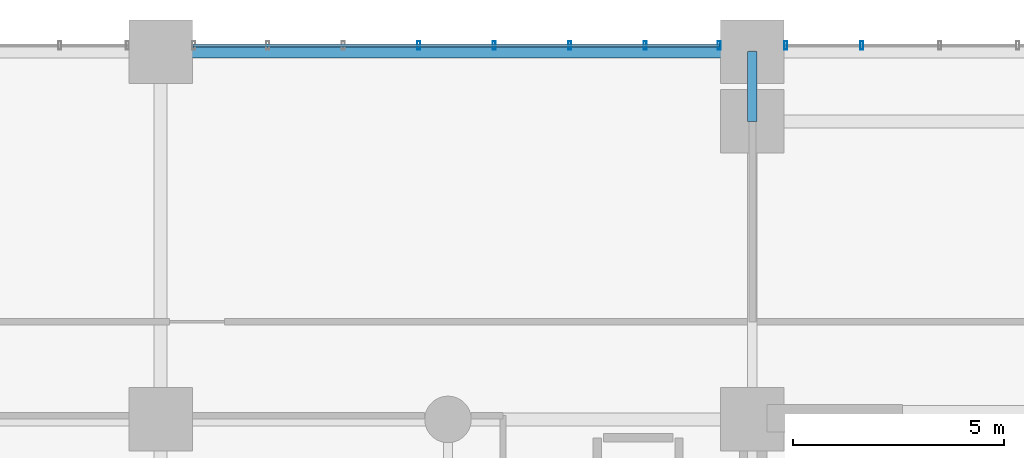
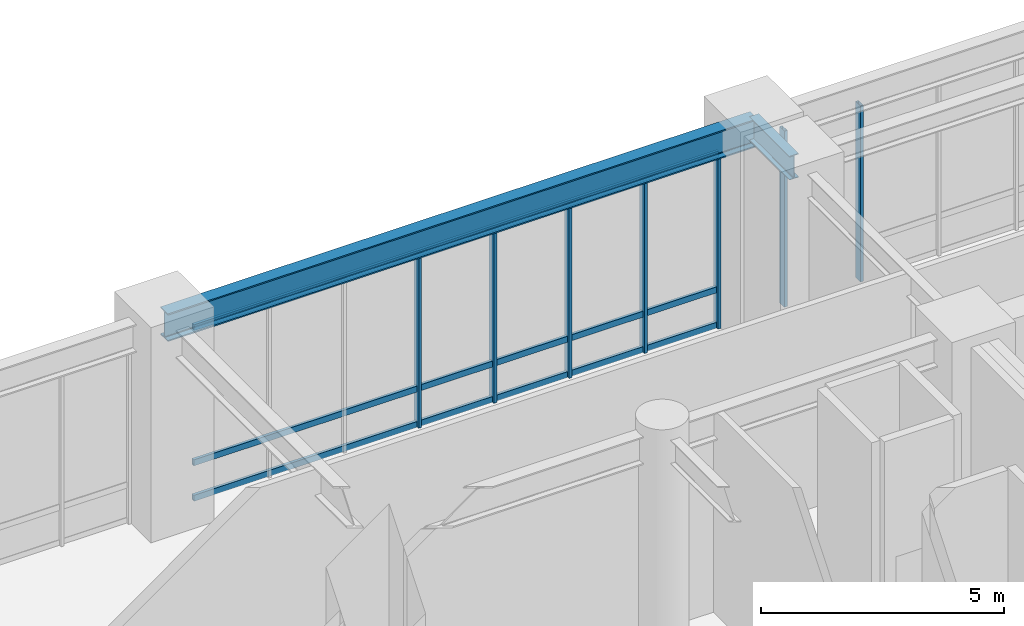
# One storey, part 3 of 22: 10 members, 2 beams, 2 elements without a shape of their own.
"""IFC4 building model written with IfcOpenShell, lengths in metres."""

from ifc_helpers import new_model, si_unit, direction, frame, origin, origin_2d, place, context, subcontext, project, spatial, hollow_rectangle, i_section, extrude, source, transform, mapped, material, layer, layer_set, material_profile, profile_set, type_object, element, aggregate, save


model = new_model("IFC4")

# Units and contexts
model_context = context("Model", 3, precision=1e-05, world=origin(), true_north=direction((0.0, 1.0)))
body_context = subcontext(model_context, "Body", "Model", "MODEL_VIEW")
ifc_project = project(units=[si_unit("LENGTHUNIT", "METRE"), si_unit("AREAUNIT", "SQUARE_METRE"), si_unit("VOLUMEUNIT", "CUBIC_METRE"), si_unit("PLANEANGLEUNIT", "RADIAN"), si_unit("MASSUNIT", "GRAM", prefix="KILO")], contexts=[model_context])

# Site, building, storey
site_placement = place(None, origin())
site = spatial("IfcSite", under=ifc_project, at=site_placement, CompositionType="ELEMENT")
building_placement = place(site_placement, origin())
building = spatial("IfcBuilding", under=site, at=building_placement, Name="Kaliganga Portal Commons", CompositionType="ELEMENT")
storey_placement = place(building_placement, origin())
storey = spatial("IfcBuildingStorey", under=building, at=storey_placement, Name="L00", CompositionType="ELEMENT", Elevation=0.0)

# Beams
ifc_material_1 = material(Name="Structural steel S355J2", Category="steel")
ifc_material_profile_1 = material_profile(ifc_material_1, i_section(OverallWidth=0.300048828125, OverallDepth=0.699951171875, WebThickness=0.01708984375, FlangeThickness=0.031982421875, FilletRadius=0.027099609375, at=origin_2d()), Name="HE 700 B")
ifc_profile_set_1 = profile_set([ifc_material_profile_1], Name="Structural steel S355J2 wide-flange")
beam_type_1 = type_object("IfcBeamType", Name="BM-GIRD-700", PredefinedType="USERDEFINED", material=ifc_profile_set_1)
shared_shape_1 = source(origin(), body_context, "Body", "SweptSolid", [
    extrude(i_section(OverallWidth=0.300048828125, OverallDepth=0.699951171875, WebThickness=0.01708984375, FlangeThickness=0.031982421875, FilletRadius=0.027099609375, at=origin_2d()), origin(), (0.0, 0.0, 1.0), 14.0),
])
beam_1_placement = place(storey_placement, frame((0.39990234375, 44.85009765625, 4.77001953125), z_axis=(1.0, 0.0, 0.0), x_axis=(0.0, 1.0, 0.0)))
element("IfcBeam", 1, at=beam_1_placement, inside=storey, type_object=beam_type_1, Name="BM PODP L00 N44 1", ObjectType="GIRDER", PredefinedType="USERDEFINED", context=body_context, shape_type="MappedRepresentation", body=[
    mapped(shared_shape_1, transform((0.0, 0.0, 0.0), x_axis=(1.0, 0.0, 0.0), y_axis=(0.0, 1.0, 0.0), z_axis=(0.0, 0.0, 1.0), scale=1.0)),
])
ifc_material_profile_2 = material_profile(ifc_material_1, i_section(OverallWidth=0.219970703125, OverallDepth=0.60009765625, WebThickness=0.011962890625, FlangeThickness=0.01904296875, FilletRadius=0.02392578125, at=origin_2d()), Name="IPE 600")
ifc_profile_set_2 = profile_set([ifc_material_profile_2], Name="Structural steel S355J2 wide-flange")
beam_type_2 = type_object("IfcBeamType", Name="BM-FLR-600", PredefinedType="BEAM", material=ifc_profile_set_2)
shared_shape_2 = source(origin(), body_context, "Body", "SweptSolid", [
    extrude(i_section(OverallWidth=0.219970703125, OverallDepth=0.60009765625, WebThickness=0.011962890625, FlangeThickness=0.01904296875, FilletRadius=0.02392578125, at=origin_2d()), origin(), (0.0, 0.0, 1.0), 1.650146484375),
])
beam_2_placement = place(storey_placement, frame((14.39990234375, 43.199951171875, 4.820068359375), z_axis=(0.0, 1.0, 0.0), x_axis=(-1.0, 0.0, 0.0)))
element("IfcBeam", 2, at=beam_2_placement, inside=storey, type_object=beam_type_2, Name="BM PODP L00 NT14", PredefinedType="BEAM", context=body_context, shape_type="MappedRepresentation", body=[
    mapped(shared_shape_2, transform((0.0, 0.0, 0.0), x_axis=(1.0, 0.0, 0.0), y_axis=(0.0, 1.0, 0.0), z_axis=(0.0, 0.0, 1.0), scale=1.0)),
])

# Curtain wall, members
ifc_material_2 = material(Name="Anodized Aluminium and Laminated Low-E Glass", Category="aluminium")
ifc_layer = layer(ifc_material_2, 0.219970703125)
ifc_layer_set = layer_set([ifc_layer], Name="Anodized Aluminium and Laminated Low-E Glass")
curtain_wall_type = type_object("IfcCurtainWallType", Name="CW-SYS-01", PredefinedType="NOTDEFINED", material=ifc_layer_set)
curtain_wall_1_placement = place(storey_placement, origin())
curtain_wall_1 = element("IfcCurtainWall", 3, at=curtain_wall_1_placement, inside=storey, type_object=curtain_wall_type, Name="CW 01 L00 P1E02S6", PredefinedType="NOTDEFINED")
ifc_material_3 = material(Name="Dark Bronze Anodized Aluminium", Category="aluminium")
ifc_material_profile_3 = material_profile(ifc_material_3, hollow_rectangle(XDim=0.070068359375, YDim=0.199951171875, WallThickness=0.00390625, at=origin_2d()), Name="ALU MULL 70x200x4")
ifc_profile_set_3 = profile_set([ifc_material_profile_3], Name="Dark Bronze Anodized Aluminium")
member_type_1 = type_object("IfcMemberType", Name="CW-MUL-220", PredefinedType="MULLION", material=ifc_profile_set_3)
shared_shape_3 = source(origin(), body_context, "Body", "SweptSolid", [
    extrude(hollow_rectangle(XDim=0.070068359375, YDim=0.199951171875, WallThickness=0.00390625, at=origin_2d()), origin(), (0.0, 0.0, 1.0), 4.419921875),
])
member_1_placement = place(storey_placement, frame((16.99365234375, 45.0, 0.0), z_axis=(0.0, 0.0, 1.0), x_axis=(-1.0, 0.0, 0.0)))
member_1 = element("IfcMember", 4, at=member_1_placement, type_object=member_type_1, Name="CW:01:L00:P1E02S6 Mullion 06", PredefinedType="MULLION", context=body_context, shape_type="MappedRepresentation", body=[
    mapped(shared_shape_3, transform((0.0, 0.0, 0.0), x_axis=(1.0, 0.0, 0.0), y_axis=(0.0, 1.0, 0.0), z_axis=(0.0, 0.0, 1.0), scale=1.0)),
])
member_2_placement = place(storey_placement, frame((15.18603515625, 45.0, 0.0), z_axis=(0.0, 0.0, 1.0), x_axis=(-1.0, 0.0, 0.0)))
member_2 = element("IfcMember", 5, at=member_2_placement, type_object=member_type_1, Name="CW:01:L00:P1E02S6 Mullion 07", PredefinedType="MULLION", context=body_context, shape_type="MappedRepresentation", body=[
    mapped(shared_shape_3, transform((0.0, 0.0, 0.0), x_axis=(1.0, 0.0, 0.0), y_axis=(0.0, 1.0, 0.0), z_axis=(0.0, 0.0, 1.0), scale=1.0)),
])
aggregate(curtain_wall_1, [member_1, member_2])

curtain_wall_2_placement = place(storey_placement, origin())
curtain_wall_2 = element("IfcCurtainWall", 6, at=curtain_wall_2_placement, inside=storey, type_object=curtain_wall_type, Name="CW 01 L00 P1E02S7", PredefinedType="NOTDEFINED")
member_3_placement = place(storey_placement, frame((13.614013671875, 45.0, 0.0), z_axis=(0.0, 0.0, 1.0), x_axis=(-1.0, 0.0, 0.0)))
member_3 = element("IfcMember", 7, at=member_3_placement, type_object=member_type_1, Name="CW:01:L00:P1E02S7 Mullion 00", PredefinedType="MULLION", context=body_context, shape_type="MappedRepresentation", body=[
    mapped(shared_shape_3, transform((0.0, 0.0, 0.0), x_axis=(1.0, 0.0, 0.0), y_axis=(0.0, 1.0, 0.0), z_axis=(0.0, 0.0, 1.0), scale=1.0)),
])
member_4_placement = place(storey_placement, frame((11.863525390625, 45.0, 0.0), z_axis=(0.0, 0.0, 1.0), x_axis=(-1.0, 0.0, 0.0)))
member_4 = element("IfcMember", 8, at=member_4_placement, type_object=member_type_1, Name="CW:01:L00:P1E02S7 Mullion 01", PredefinedType="MULLION", context=body_context, shape_type="MappedRepresentation", body=[
    mapped(shared_shape_3, transform((0.0, 0.0, 0.0), x_axis=(1.0, 0.0, 0.0), y_axis=(0.0, 1.0, 0.0), z_axis=(0.0, 0.0, 1.0), scale=1.0)),
])
member_5_placement = place(storey_placement, frame((10.078125, 45.0, 0.0), z_axis=(0.0, 0.0, 1.0), x_axis=(-1.0, 0.0, 0.0)))
member_5 = element("IfcMember", 9, at=member_5_placement, type_object=member_type_1, Name="CW:01:L00:P1E02S7 Mullion 02", PredefinedType="MULLION", context=body_context, shape_type="MappedRepresentation", body=[
    mapped(shared_shape_3, transform((0.0, 0.0, 0.0), x_axis=(1.0, 0.0, 0.0), y_axis=(0.0, 1.0, 0.0), z_axis=(0.0, 0.0, 1.0), scale=1.0)),
])
member_6_placement = place(storey_placement, frame((8.292724609375, 45.0, 0.0), z_axis=(0.0, 0.0, 1.0), x_axis=(-1.0, 0.0, 0.0)))
member_6 = element("IfcMember", 10, at=member_6_placement, type_object=member_type_1, Name="CW:01:L00:P1E02S7 Mullion 03", PredefinedType="MULLION", context=body_context, shape_type="MappedRepresentation", body=[
    mapped(shared_shape_3, transform((0.0, 0.0, 0.0), x_axis=(1.0, 0.0, 0.0), y_axis=(0.0, 1.0, 0.0), z_axis=(0.0, 0.0, 1.0), scale=1.0)),
])
member_7_placement = place(storey_placement, frame((6.50732421875, 45.0, 0.0), z_axis=(0.0, 0.0, 1.0), x_axis=(-1.0, 0.0, 0.0)))
member_7 = element("IfcMember", 11, at=member_7_placement, type_object=member_type_1, Name="CW:01:L00:P1E02S7 Mullion 04", PredefinedType="MULLION", context=body_context, shape_type="MappedRepresentation", body=[
    mapped(shared_shape_3, transform((0.0, 0.0, 0.0), x_axis=(1.0, 0.0, 0.0), y_axis=(0.0, 1.0, 0.0), z_axis=(0.0, 0.0, 1.0), scale=1.0)),
])
ifc_material_profile_4 = material_profile(ifc_material_3, hollow_rectangle(XDim=0.070068359375, YDim=0.14990234375, WallThickness=0.00341796875, at=origin_2d()), Name="ALU TRAN 70x150x3.5")
ifc_profile_set_4 = profile_set([ifc_material_profile_4], Name="Dark Bronze Anodized Aluminium")
member_type_2 = type_object("IfcMemberType", Name="CW-TRN-150", PredefinedType="USERDEFINED", material=ifc_profile_set_4)
shared_shape_4 = source(origin(), body_context, "Body", "SweptSolid", [
    extrude(hollow_rectangle(XDim=0.070068359375, YDim=0.14990234375, WallThickness=0.00341796875, at=origin_2d()), origin(), (0.0, 0.0, 1.0), 12.4580078125),
])
member_8_placement = place(storey_placement, frame((13.62890625, 45.0, 0.06005859375), z_axis=(-1.0, 0.0, 0.0), x_axis=(0.0, -1.0, 0.0)))
member_8 = element("IfcMember", 12, at=member_8_placement, type_object=member_type_2, Name="CW:01:L00:P1E02S7 Transom 1", ObjectType="TRANSOM", PredefinedType="USERDEFINED", context=body_context, shape_type="MappedRepresentation", body=[
    mapped(shared_shape_4, transform((0.0, 0.0, 0.0), x_axis=(1.0, 0.0, 0.0), y_axis=(0.0, 1.0, 0.0), z_axis=(0.0, 0.0, 1.0), scale=1.0)),
])
member_9_placement = place(storey_placement, frame((13.62890625, 45.0, 0.949951171875), z_axis=(-1.0, 0.0, 0.0), x_axis=(0.0, -1.0, 0.0)))
member_9 = element("IfcMember", 13, at=member_9_placement, type_object=member_type_2, Name="CW:01:L00:P1E02S7 Transom 2", ObjectType="TRANSOM", PredefinedType="USERDEFINED", context=body_context, shape_type="MappedRepresentation", body=[
    mapped(shared_shape_4, transform((0.0, 0.0, 0.0), x_axis=(1.0, 0.0, 0.0), y_axis=(0.0, 1.0, 0.0), z_axis=(0.0, 0.0, 1.0), scale=1.0)),
])
member_10_placement = place(storey_placement, frame((13.62890625, 45.0, 4.340087890625), z_axis=(-1.0, 0.0, 0.0), x_axis=(0.0, -1.0, 0.0)))
member_10 = element("IfcMember", 14, at=member_10_placement, type_object=member_type_2, Name="CW:01:L00:P1E02S7 Transom 3", ObjectType="TRANSOM", PredefinedType="USERDEFINED", context=body_context, shape_type="MappedRepresentation", body=[
    mapped(shared_shape_4, transform((0.0, 0.0, 0.0), x_axis=(1.0, 0.0, 0.0), y_axis=(0.0, 1.0, 0.0), z_axis=(0.0, 0.0, 1.0), scale=1.0)),
])
aggregate(curtain_wall_2, [member_3, member_4, member_5, member_6, member_7, member_8, member_9, member_10])

save(model, "model.ifc")
